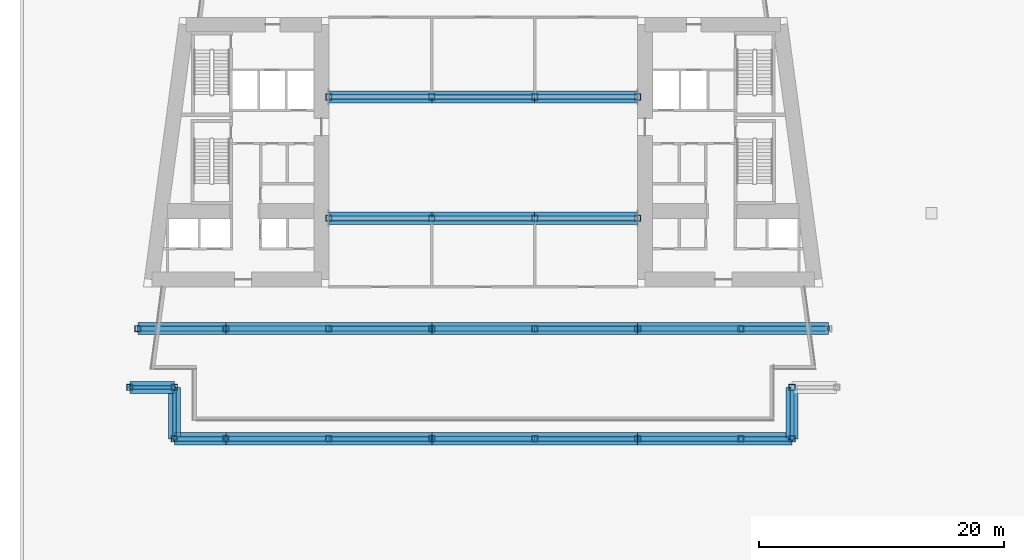
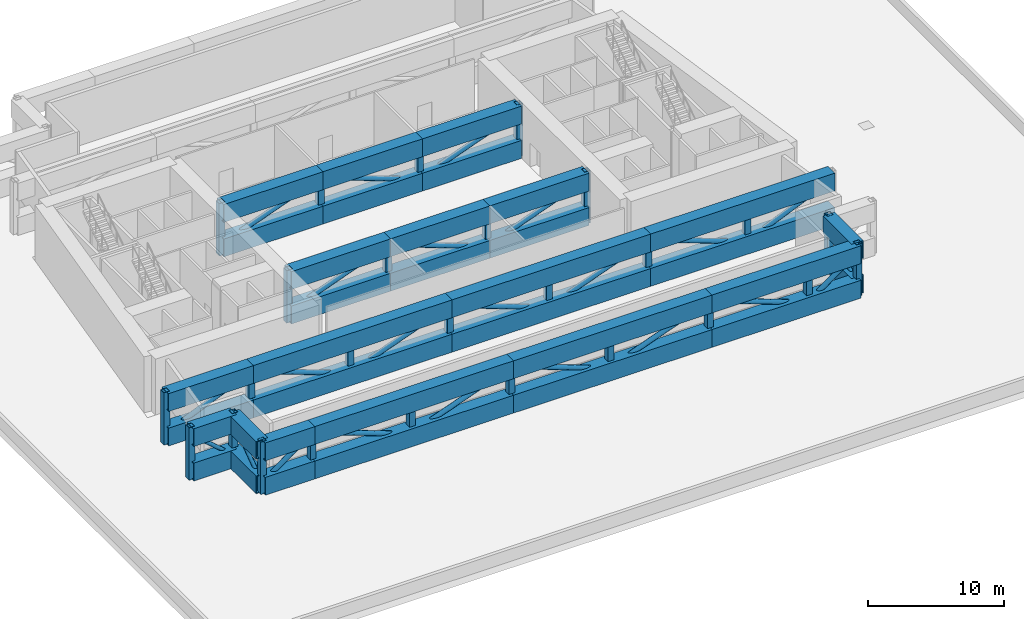
# One storey, part 2 of 26: 83 members.
"""IFC4 building model written with IfcOpenShell, lengths in metres."""

import ifcopenshell
import ifcopenshell.guid

model = None  # the IFC model being written
_history = None  # IfcOwnerHistory: only IFC2X3 demands one
_inside = {}  # id of a spatial element -> (the spatial element, [elements in it])
_under = {}  # id of a project, library or spatial element -> (it, [spatial elements below it])
_declared = {}  # id of a project -> (the project, [libraries it declares])
_typed = {}  # id of a type object -> (the type object, [elements of that type])
_made_of = {}  # id of a material, layer set ... -> (it, [elements and type objects made of it])


def new_model(schema):
    """Start an empty IFC model of exactly this schema.

    Asked for "IFC4X3", IfcOpenShell would pick the latest addendum, in which some entities
    have other attributes; the version numbers below select the first issue.
    IFC2X3 requires an IfcOwnerHistory on every rooted entity: one is made here for all.
    """
    global model, _history
    if schema == "IFC4X3":
        model = ifcopenshell.file(schema_version=(4, 3, 0, 0))
    else:
        model = ifcopenshell.file(schema=schema)
    _inside.clear()
    _under.clear()
    _declared.clear()
    _typed.clear()
    _made_of.clear()
    _history = None
    if model.schema == "IFC2X3":
        org = make("IfcOrganization", Name="unknown")
        user = make(
            "IfcPersonAndOrganization",
            ThePerson=make("IfcPerson", FamilyName="unknown"),
            TheOrganization=org,
        )
        app = make(
            "IfcApplication",
            ApplicationDeveloper=org,
            Version="unknown",
            ApplicationFullName="unknown",
            ApplicationIdentifier="unknown",
        )
        _history = make(
            "IfcOwnerHistory",
            OwningUser=user,
            OwningApplication=app,
            ChangeAction="ADDED",
            CreationDate=0,
        )
    return model


def make(cls, **values):
    """One entity of the class cls with the attributes given. An attribute that is None is left unset."""
    return model.create_entity(
        cls, **{name: value for name, value in values.items() if value is not None}
    )


def rooted(cls, **values):
    """An entity with a GlobalId (a new one), such as an element, a storey or a relation."""
    return make(cls, GlobalId=ifcopenshell.guid.new(), OwnerHistory=_history, **values)


def si_unit(unit_type, name, prefix=None):
    """IfcSIUnit, for example si_unit("LENGTHUNIT", "METRE", prefix="MILLI")."""
    return make("IfcSIUnit", UnitType=unit_type, Prefix=prefix, Name=name)


def assignment(units):
    """IfcUnitAssignment: the units of a project."""
    return None if units is None else make("IfcUnitAssignment", Units=units)


def point(xyz):
    """IfcCartesianPoint."""
    return None if xyz is None else make("IfcCartesianPoint", Coordinates=xyz)


def direction(xyz):
    """IfcDirection."""
    return None if xyz is None else make("IfcDirection", DirectionRatios=xyz)


def frame(location, z_axis=None, x_axis=None):
    """IfcAxis2Placement3D, a coordinate frame: its origin and axes. An axis left out is left unset."""
    return make(
        "IfcAxis2Placement3D",
        Location=point(location),
        Axis=direction(z_axis),
        RefDirection=direction(x_axis),
    )


def frame_2d(location, x_axis=None):
    """IfcAxis2Placement2D, a coordinate frame in the plane: its origin and x axis."""
    return make(
        "IfcAxis2Placement2D", Location=point(location), RefDirection=direction(x_axis)
    )


def origin():
    """The frame at (0, 0, 0) with its axes left unset."""
    return frame((0.0, 0.0, 0.0))


def origin_2d():
    """The frame at (0, 0) in the plane with its x axis left unset."""
    return frame_2d((0.0, 0.0))


def place(relative_to, where):
    """IfcLocalPlacement: puts the frame where relative to a parent placement (None: the world)."""
    return make(
        "IfcLocalPlacement", PlacementRelTo=relative_to, RelativePlacement=where
    )


def context(
    kind, dimensions, precision=None, world=None, true_north=None, identifier=None
):
    """IfcGeometricRepresentationContext, for example the 3D "Model" context."""
    return make(
        "IfcGeometricRepresentationContext",
        ContextIdentifier=identifier,
        ContextType=kind,
        CoordinateSpaceDimension=dimensions,
        Precision=precision,
        WorldCoordinateSystem=world,
        TrueNorth=true_north,
    )


def subcontext(parent, identifier, kind, view, scale=None):
    """IfcGeometricRepresentationSubContext, for example "Body" below "Model"."""
    return make(
        "IfcGeometricRepresentationSubContext",
        ContextIdentifier=identifier,
        ContextType=kind,
        ParentContext=parent,
        TargetScale=scale,
        TargetView=view,
    )


def project(units=None, contexts=None):
    """IfcProject with its units and contexts."""
    return rooted(
        "IfcProject",
        Name="project",
        RepresentationContexts=contexts,
        UnitsInContext=assignment(units),
    )


def spatial(cls, under=None, at=None, **own):
    """A site, building, storey or space (cls), placed at a placement, below another one or the project."""
    s = rooted(cls, ObjectPlacement=at, **own)
    if under is not None:
        _under.setdefault(under.id(), (under, []))[1].append(s)
    return s


def profile(cls, at=None, kind="AREA", **sizes):
    """A parametric profile (cls). Its sizes go by their IFC names, for example OverallWidth=200.0."""
    return make(cls, ProfileType=kind, Position=at, **sizes)


def hollow_rectangle(**sizes):
    """IfcRectangleHollowProfileDef."""
    return profile("IfcRectangleHollowProfileDef", **sizes)


def hollow_circle(**sizes):
    """IfcCircleHollowProfileDef."""
    return profile("IfcCircleHollowProfileDef", **sizes)


def extrude(swept, where, along, depth):
    """IfcExtrudedAreaSolid: the profile swept, set in the frame where, extruded along a direction by depth."""
    return make(
        "IfcExtrudedAreaSolid",
        SweptArea=swept,
        Position=where,
        ExtrudedDirection=direction(along),
        Depth=depth,
    )


def shape(context_of_items, identifier, shape_type, items):
    """IfcShapeRepresentation: the items that make up one representation, for example the "Body"."""
    return make(
        "IfcShapeRepresentation",
        ContextOfItems=context_of_items,
        RepresentationIdentifier=identifier,
        RepresentationType=shape_type,
        Items=items,
    )


def material(Name=None, Category=None):
    """IfcMaterial."""
    return make("IfcMaterial", Name=Name, Category=Category)


def material_profile(
    of_material, cross_section, Name=None, Category=None, Priority=None
):
    """IfcMaterialProfile: a cross section and its material."""
    return make(
        "IfcMaterialProfile",
        Name=Name,
        Material=of_material,
        Profile=cross_section,
        Priority=Priority,
        Category=Category,
    )


def profile_set(profiles, Name=None, composite=None):
    """IfcMaterialProfileSet."""
    return make(
        "IfcMaterialProfileSet",
        Name=Name,
        MaterialProfiles=profiles,
        CompositeProfile=composite,
    )


def made_of(thing, what):
    """Note that an element or type object is made of a material, layer set ...; save() writes the relation."""
    if what is not None:
        _made_of.setdefault(what.id(), (what, []))[1].append(thing)
    return thing


def type_object(cls, material=None, **own):
    """A type object (cls), such as IfcWallType, which elements share."""
    return made_of(rooted(cls, **own), material)


def element(
    cls,
    number,
    at=None,
    inside=None,
    cuts=None,
    type_object=None,
    material=None,
    context=None,
    identifier="Body",
    shape_type=None,
    held_by="IfcProductDefinitionShape",
    body=None,
    shapes=None,
    **own,
):
    """One element of the class cls, such as IfcWall. Its Tag is "e" and its number.

    at: its placement. inside: the storey or other place that contains it. cuts: it is an
    opening in that element (IfcRelVoidsElement). A single representation is given by context,
    identifier, shape_type and body (its items); several are given by shapes. held_by: the class
    of the entity that holds the representations. save() writes the other relations.
    """
    e = rooted(cls, Tag="e%d" % number, ObjectPlacement=at, **own)
    if body is not None:
        shapes = [shape(context, identifier, shape_type, body)]
    if shapes is not None:
        e.Representation = make(held_by, Representations=shapes)
    if inside is not None:
        _inside.setdefault(inside.id(), (inside, []))[1].append(e)
    if cuts is not None:
        rooted(
            "IfcRelVoidsElement", RelatingBuildingElement=cuts, RelatedOpeningElement=e
        )
    if type_object is not None:
        _typed.setdefault(type_object.id(), (type_object, []))[1].append(e)
    return made_of(e, material)


def aggregate(whole, parts):
    """IfcRelAggregates: a whole, such as a stair, and the parts it consists of."""
    return rooted("IfcRelAggregates", RelatingObject=whole, RelatedObjects=parts)


def save(model, path):
    """Write the relations noted so far, then the file.

    IfcRelAggregates (storeys below a building ...), IfcRelContainedInSpatialStructure (elements
    in a storey), IfcRelDefinesByType, IfcRelAssociatesMaterial and IfcRelDeclares: one each for
    every whole, place, type object, material and project.
    """
    for whole, parts in _under.values():
        aggregate(whole, parts)
    for where, things in _inside.values():
        rooted(
            "IfcRelContainedInSpatialStructure",
            RelatedElements=things,
            RelatingStructure=where,
        )
    for kind, things in _typed.values():
        rooted("IfcRelDefinesByType", RelatedObjects=things, RelatingType=kind)
    for what, things in _made_of.values():
        rooted("IfcRelAssociatesMaterial", RelatedObjects=things, RelatingMaterial=what)
    for by, libraries in _declared.values():
        rooted("IfcRelDeclares", RelatingContext=by, RelatedDefinitions=libraries)
    model.write(path)


model = new_model("IFC4")

# Units and contexts
model_context = context("Model", 3, precision=1e-05, world=origin(), true_north=direction((0.0, 1.0)))
body_context = subcontext(model_context, "Body", "Model", "MODEL_VIEW")
ifc_project = project(units=[si_unit("LENGTHUNIT", "METRE"), si_unit("AREAUNIT", "SQUARE_METRE"), si_unit("VOLUMEUNIT", "CUBIC_METRE"), si_unit("PLANEANGLEUNIT", "RADIAN"), si_unit("MASSUNIT", "GRAM", prefix="KILO")], contexts=[model_context])

# Site, building, storey
site_placement = place(None, origin())
site = spatial("IfcSite", under=ifc_project, at=site_placement, CompositionType="ELEMENT")
building_placement = place(site_placement, origin())
building = spatial("IfcBuilding", under=site, at=building_placement, Name="Candeia Pilgrim Tower and Theatre", CompositionType="ELEMENT")
storey_placement = place(building_placement, frame((0.0, 0.0, 34.0)))
storey = spatial("IfcBuildingStorey", under=building, at=storey_placement, Name="L05", CompositionType="ELEMENT", Elevation=34.0)

# Members
ifc_material = material(Name="Structural steel ASTM A572 Grade 50", Category="steel")
ifc_material_profile_1 = material_profile(ifc_material, hollow_rectangle(XDim=1.0, YDim=1.60009765625, WallThickness=0.06005859375, at=origin_2d()))
ifc_profile_set_1 = profile_set([ifc_material_profile_1], Name="Structural steel ASTM A572 Grade 50")
member_type_1 = type_object("IfcMemberType", Name="BOX 1600x1000x60 chord", PredefinedType="CHORD", material=ifc_profile_set_1)
for number, where, z_axis, x_axis, name in (
    (1, (88.199951171875, 98.0, 0.800048828125), (1.0, 0.0, 0.0), (0.0, 1.0, 0.0), "Transfer truss bottom chord TTA"),
    (2, (88.199951171875, 98.0, 3.8798828125), (1.0, 0.0, 0.0), (0.0, 1.0, 0.0), "Transfer truss top chord TTA"),
):
    element("IfcMember", number, at=place(storey_placement, frame(where, z_axis=z_axis, x_axis=x_axis)), inside=storey, type_object=member_type_1, Name=name, PredefinedType="CHORD", context=body_context, shape_type="SweptSolid", body=[
        extrude(hollow_rectangle(XDim=1.0, YDim=1.60009765625, WallThickness=0.06005859375, at=origin_2d()), origin(), (0.0, 0.0, 1.0), 4.199951171875),
    ])
for number, where, z_axis, x_axis, name in (
    (3, (92.39990234375, 98.0, 0.800048828125), (1.0, 0.0, 0.0), (0.0, 1.0, 0.0), "Transfer truss bottom chord TTA"),
    (4, (92.39990234375, 98.0, 3.8798828125), (1.0, 0.0, 0.0), (0.0, 1.0, 0.0), "Transfer truss top chord TTA"),
    (5, (109.199951171875, 98.0, 0.800048828125), (1.0, 0.0, 0.0), (0.0, 1.0, 0.0), "Transfer truss bottom chord TTA"),
    (6, (109.199951171875, 98.0, 3.8798828125), (1.0, 0.0, 0.0), (0.0, 1.0, 0.0), "Transfer truss top chord TTA"),
):
    element("IfcMember", number, at=place(storey_placement, frame(where, z_axis=z_axis, x_axis=x_axis)), inside=storey, type_object=member_type_1, Name=name, PredefinedType="CHORD", context=body_context, shape_type="SweptSolid", body=[
        extrude(hollow_rectangle(XDim=1.0, YDim=1.60009765625, WallThickness=0.06005859375, at=origin_2d()), origin(), (0.0, 0.0, 1.0), 16.800048828125),
    ])
for number, where, z_axis, x_axis, name in (
    (7, (126.0, 98.0, 0.800048828125), (1.0, 0.0, 0.0), (0.0, 1.0, 0.0), "Transfer truss bottom chord TTA"),
    (8, (126.0, 98.0, 3.8798828125), (1.0, 0.0, 0.0), (0.0, 1.0, 0.0), "Transfer truss top chord TTA"),
):
    element("IfcMember", number, at=place(storey_placement, frame(where, z_axis=z_axis, x_axis=x_axis)), inside=storey, type_object=member_type_1, Name=name, PredefinedType="CHORD", context=body_context, shape_type="SweptSolid", body=[
        extrude(hollow_rectangle(XDim=1.0, YDim=1.60009765625, WallThickness=0.06005859375, at=origin_2d()), origin(), (0.0, 0.0, 1.0), 12.60009765625),
    ])
for number, where, z_axis, x_axis, name in (
    (9, (85.21142578125, 107.0, 0.800048828125), (1.0, 0.0, 0.0), (0.0, 1.0, 0.0), "Transfer truss bottom chord TTB"),
    (10, (85.21142578125, 107.0, 3.8798828125), (1.0, 0.0, 0.0), (0.0, 1.0, 0.0), "Transfer truss top chord TTB"),
):
    element("IfcMember", number, at=place(storey_placement, frame(where, z_axis=z_axis, x_axis=x_axis)), inside=storey, type_object=member_type_1, Name=name, PredefinedType="CHORD", context=body_context, shape_type="SweptSolid", body=[
        extrude(hollow_rectangle(XDim=1.0, YDim=1.60009765625, WallThickness=0.06005859375, at=origin_2d()), origin(), (0.0, 0.0, 1.0), 7.1884765625),
    ])
for number, where, z_axis, x_axis, name in (
    (11, (92.39990234375, 107.0, 0.800048828125), (1.0, 0.0, 0.0), (0.0, 1.0, 0.0), "Transfer truss bottom chord TTB"),
    (12, (92.39990234375, 107.0, 3.8798828125), (1.0, 0.0, 0.0), (0.0, 1.0, 0.0), "Transfer truss top chord TTB"),
    (13, (109.199951171875, 107.0, 0.800048828125), (1.0, 0.0, 0.0), (0.0, 1.0, 0.0), "Transfer truss bottom chord TTB"),
    (14, (109.199951171875, 107.0, 3.8798828125), (1.0, 0.0, 0.0), (0.0, 1.0, 0.0), "Transfer truss top chord TTB"),
):
    element("IfcMember", number, at=place(storey_placement, frame(where, z_axis=z_axis, x_axis=x_axis)), inside=storey, type_object=member_type_1, Name=name, PredefinedType="CHORD", context=body_context, shape_type="SweptSolid", body=[
        extrude(hollow_rectangle(XDim=1.0, YDim=1.60009765625, WallThickness=0.06005859375, at=origin_2d()), origin(), (0.0, 0.0, 1.0), 16.800048828125),
    ])
for number, where, z_axis, x_axis, name in (
    (15, (126.0, 107.0, 0.800048828125), (1.0, 0.0, 0.0), (0.0, 1.0, 0.0), "Transfer truss bottom chord TTB"),
    (16, (126.0, 107.0, 3.8798828125), (1.0, 0.0, 0.0), (0.0, 1.0, 0.0), "Transfer truss top chord TTB"),
):
    element("IfcMember", number, at=place(storey_placement, frame(where, z_axis=z_axis, x_axis=x_axis)), inside=storey, type_object=member_type_1, Name=name, PredefinedType="CHORD", context=body_context, shape_type="SweptSolid", body=[
        extrude(hollow_rectangle(XDim=1.0, YDim=1.60009765625, WallThickness=0.06005859375, at=origin_2d()), origin(), (0.0, 0.0, 1.0), 15.58837890625),
    ])
for number, where, z_axis, x_axis, name in (
    (17, (100.800048828125, 116.0, 0.800048828125), (1.0, 0.0, 0.0), (0.0, 1.0, 0.0), "Transfer truss bottom chord TTC"),
    (18, (100.800048828125, 116.0, 3.8798828125), (1.0, 0.0, 0.0), (0.0, 1.0, 0.0), "Transfer truss top chord TTC"),
):
    element("IfcMember", number, at=place(storey_placement, frame(where, z_axis=z_axis, x_axis=x_axis)), inside=storey, type_object=member_type_1, Name=name, PredefinedType="CHORD", context=body_context, shape_type="SweptSolid", body=[
        extrude(hollow_rectangle(XDim=1.0, YDim=1.60009765625, WallThickness=0.06005859375, at=origin_2d()), origin(), (0.0, 0.0, 1.0), 8.39990234375),
    ])
for number, where, z_axis, x_axis, name in (
    (19, (109.199951171875, 116.0, 0.800048828125), (1.0, 0.0, 0.0), (0.0, 1.0, 0.0), "Transfer truss bottom chord TTC"),
    (20, (109.199951171875, 116.0, 3.8798828125), (1.0, 0.0, 0.0), (0.0, 1.0, 0.0), "Transfer truss top chord TTC"),
):
    element("IfcMember", number, at=place(storey_placement, frame(where, z_axis=z_axis, x_axis=x_axis)), inside=storey, type_object=member_type_1, Name=name, PredefinedType="CHORD", context=body_context, shape_type="SweptSolid", body=[
        extrude(hollow_rectangle(XDim=1.0, YDim=1.60009765625, WallThickness=0.06005859375, at=origin_2d()), origin(), (0.0, 0.0, 1.0), 8.400146484375),
    ])
for number, where, z_axis, x_axis, name in (
    (21, (117.60009765625, 116.0, 0.800048828125), (1.0, 0.0, 0.0), (0.0, 1.0, 0.0), "Transfer truss bottom chord TTC"),
    (22, (117.60009765625, 116.0, 3.8798828125), (1.0, 0.0, 0.0), (0.0, 1.0, 0.0), "Transfer truss top chord TTC"),
    (23, (100.800048828125, 125.89990234375, 0.800048828125), (1.0, 0.0, 0.0), (0.0, 1.0, 0.0), "Transfer truss bottom chord TTD"),
    (24, (100.800048828125, 125.89990234375, 3.8798828125), (1.0, 0.0, 0.0), (0.0, 1.0, 0.0), "Transfer truss top chord TTD"),
):
    element("IfcMember", number, at=place(storey_placement, frame(where, z_axis=z_axis, x_axis=x_axis)), inside=storey, type_object=member_type_1, Name=name, PredefinedType="CHORD", context=body_context, shape_type="SweptSolid", body=[
        extrude(hollow_rectangle(XDim=1.0, YDim=1.60009765625, WallThickness=0.06005859375, at=origin_2d()), origin(), (0.0, 0.0, 1.0), 8.39990234375),
    ])
for number, where, z_axis, x_axis, name in (
    (25, (109.199951171875, 125.89990234375, 0.800048828125), (1.0, 0.0, 0.0), (0.0, 1.0, 0.0), "Transfer truss bottom chord TTD"),
    (26, (109.199951171875, 125.89990234375, 3.8798828125), (1.0, 0.0, 0.0), (0.0, 1.0, 0.0), "Transfer truss top chord TTD"),
):
    element("IfcMember", number, at=place(storey_placement, frame(where, z_axis=z_axis, x_axis=x_axis)), inside=storey, type_object=member_type_1, Name=name, PredefinedType="CHORD", context=body_context, shape_type="SweptSolid", body=[
        extrude(hollow_rectangle(XDim=1.0, YDim=1.60009765625, WallThickness=0.06005859375, at=origin_2d()), origin(), (0.0, 0.0, 1.0), 8.400146484375),
    ])
for number, where, z_axis, x_axis, name in (
    (27, (117.60009765625, 125.89990234375, 0.800048828125), (1.0, 0.0, 0.0), (0.0, 1.0, 0.0), "Transfer truss bottom chord TTD"),
    (28, (117.60009765625, 125.89990234375, 3.8798828125), (1.0, 0.0, 0.0), (0.0, 1.0, 0.0), "Transfer truss top chord TTD"),
):
    element("IfcMember", number, at=place(storey_placement, frame(where, z_axis=z_axis, x_axis=x_axis)), inside=storey, type_object=member_type_1, Name=name, PredefinedType="CHORD", context=body_context, shape_type="SweptSolid", body=[
        extrude(hollow_rectangle(XDim=1.0, YDim=1.60009765625, WallThickness=0.06005859375, at=origin_2d()), origin(), (0.0, 0.0, 1.0), 8.39990234375),
    ])
for number, where, z_axis, x_axis, name in (
    (29, (88.199951171875, 98.0, 0.800048828125), (0.0, 1.0, 0.0), (-1.0, 0.0, 0.0), "Transfer truss stub bottom chord TTNSW"),
    (30, (88.199951171875, 98.0, 3.8798828125), (0.0, 1.0, 0.0), (-1.0, 0.0, 0.0), "Transfer truss stub top chord TTNSW"),
    (31, (138.60009765625, 98.0, 0.800048828125), (0.0, 1.0, 0.0), (-1.0, 0.0, 0.0), "Transfer truss stub bottom chord TTNSE"),
    (32, (138.60009765625, 98.0, 3.8798828125), (0.0, 1.0, 0.0), (-1.0, 0.0, 0.0), "Transfer truss stub top chord TTNSE"),
):
    element("IfcMember", number, at=place(storey_placement, frame(where, z_axis=z_axis, x_axis=x_axis)), inside=storey, type_object=member_type_1, Name=name, PredefinedType="CHORD", context=body_context, shape_type="SweptSolid", body=[
        extrude(hollow_rectangle(XDim=1.0, YDim=1.60009765625, WallThickness=0.06005859375, at=origin_2d()), origin(), (0.0, 0.0, 1.0), 4.199951171875),
    ])
for number, where, z_axis, x_axis, name in (
    (33, (88.199951171875, 102.199951171875, 0.800048828125), (-1.0, 0.0, 0.0), (0.0, -1.0, 0.0), "Transfer truss stub bottom chord TTLSW"),
    (34, (88.199951171875, 102.199951171875, 3.8798828125), (-1.0, 0.0, 0.0), (0.0, -1.0, 0.0), "Transfer truss stub top chord TTLSW"),
):
    element("IfcMember", number, at=place(storey_placement, frame(where, z_axis=z_axis, x_axis=x_axis)), inside=storey, type_object=member_type_1, Name=name, PredefinedType="CHORD", context=body_context, shape_type="SweptSolid", body=[
        extrude(hollow_rectangle(XDim=1.0, YDim=1.60009765625, WallThickness=0.06005859375, at=origin_2d()), origin(), (0.0, 0.0, 1.0), 3.634521484375),
    ])
ifc_material_profile_2 = material_profile(ifc_material, hollow_rectangle(XDim=0.5, YDim=0.5, WallThickness=0.031982421875, at=origin_2d()))
ifc_profile_set_2 = profile_set([ifc_material_profile_2], Name="Structural steel ASTM A572 Grade 50")
member_type_2 = type_object("IfcMemberType", Name="BOX 500x500x32 post", PredefinedType="POST", material=ifc_profile_set_2)
member_1_placement = place(storey_placement, frame((88.199951171875, 98.0, 0.0), z_axis=(0.0, 0.0, 1.0), x_axis=(1.0, 0.0, 0.0)))
element("IfcMember", 35, at=member_1_placement, inside=storey, type_object=member_type_2, Name="Transfer truss post TTA", PredefinedType="POST", context=body_context, shape_type="SweptSolid", body=[
    extrude(hollow_rectangle(XDim=0.5, YDim=0.5, WallThickness=0.031982421875, at=origin_2d()), origin(), (0.0, 0.0, 1.0), 4.679931640625),
])
for number, where, z_axis, x_axis, name in (
    (36, (92.39990234375, 98.0, 1.47998046875), (0.0, 0.0, 1.0), (1.0, 0.0, 0.0), "Transfer truss post TTA"),
    (37, (100.800048828125, 98.0, 1.47998046875), (0.0, 0.0, 1.0), (1.0, 0.0, 0.0), "Transfer truss post TTA"),
    (38, (109.199951171875, 98.0, 1.47998046875), (0.0, 0.0, 1.0), (1.0, 0.0, 0.0), "Transfer truss post TTA"),
    (39, (117.60009765625, 98.0, 1.47998046875), (0.0, 0.0, 1.0), (1.0, 0.0, 0.0), "Transfer truss post TTA"),
    (40, (126.0, 98.0, 1.47998046875), (0.0, 0.0, 1.0), (1.0, 0.0, 0.0), "Transfer truss post TTA"),
    (41, (134.39990234375, 98.0, 1.47998046875), (0.0, 0.0, 1.0), (1.0, 0.0, 0.0), "Transfer truss post TTA"),
):
    element("IfcMember", number, at=place(storey_placement, frame(where, z_axis=z_axis, x_axis=x_axis)), inside=storey, type_object=member_type_2, Name=name, PredefinedType="POST", context=body_context, shape_type="SweptSolid", body=[
        extrude(hollow_rectangle(XDim=0.5, YDim=0.5, WallThickness=0.031982421875, at=origin_2d()), origin(), (0.0, 0.0, 1.0), 1.719970703125),
    ])
for number, where, z_axis, x_axis, name in (
    (42, (138.60009765625, 98.0, 0.0), (0.0, 0.0, 1.0), (1.0, 0.0, 0.0), "Transfer truss post TTA"),
    (43, (85.21142578125, 107.0, 0.0), (0.0, 0.0, 1.0), (1.0, 0.0, 0.0), "Transfer truss post TTB"),
):
    element("IfcMember", number, at=place(storey_placement, frame(where, z_axis=z_axis, x_axis=x_axis)), inside=storey, type_object=member_type_2, Name=name, PredefinedType="POST", context=body_context, shape_type="SweptSolid", body=[
        extrude(hollow_rectangle(XDim=0.5, YDim=0.5, WallThickness=0.031982421875, at=origin_2d()), origin(), (0.0, 0.0, 1.0), 4.679931640625),
    ])
for number, where, z_axis, x_axis, name in (
    (44, (92.39990234375, 107.0, 1.47998046875), (0.0, 0.0, 1.0), (1.0, 0.0, 0.0), "Transfer truss post TTB"),
    (45, (100.800048828125, 107.0, 1.47998046875), (0.0, 0.0, 1.0), (1.0, 0.0, 0.0), "Transfer truss post TTB"),
    (46, (109.199951171875, 107.0, 1.47998046875), (0.0, 0.0, 1.0), (1.0, 0.0, 0.0), "Transfer truss post TTB"),
    (47, (117.60009765625, 107.0, 1.47998046875), (0.0, 0.0, 1.0), (1.0, 0.0, 0.0), "Transfer truss post TTB"),
    (48, (126.0, 107.0, 1.47998046875), (0.0, 0.0, 1.0), (1.0, 0.0, 0.0), "Transfer truss post TTB"),
    (49, (134.39990234375, 107.0, 1.47998046875), (0.0, 0.0, 1.0), (1.0, 0.0, 0.0), "Transfer truss post TTB"),
):
    element("IfcMember", number, at=place(storey_placement, frame(where, z_axis=z_axis, x_axis=x_axis)), inside=storey, type_object=member_type_2, Name=name, PredefinedType="POST", context=body_context, shape_type="SweptSolid", body=[
        extrude(hollow_rectangle(XDim=0.5, YDim=0.5, WallThickness=0.031982421875, at=origin_2d()), origin(), (0.0, 0.0, 1.0), 1.719970703125),
    ])
member_2_placement = place(storey_placement, frame((100.800048828125, 116.0, 0.0), z_axis=(0.0, 0.0, 1.0), x_axis=(1.0, 0.0, 0.0)))
element("IfcMember", 50, at=member_2_placement, inside=storey, type_object=member_type_2, Name="Transfer truss post TTC", PredefinedType="POST", context=body_context, shape_type="SweptSolid", body=[
    extrude(hollow_rectangle(XDim=0.5, YDim=0.5, WallThickness=0.031982421875, at=origin_2d()), origin(), (0.0, 0.0, 1.0), 4.679931640625),
])
for number, where, z_axis, x_axis, name in (
    (51, (109.199951171875, 116.0, 1.47998046875), (0.0, 0.0, 1.0), (1.0, 0.0, 0.0), "Transfer truss post TTC"),
    (52, (117.60009765625, 116.0, 1.47998046875), (0.0, 0.0, 1.0), (1.0, 0.0, 0.0), "Transfer truss post TTC"),
):
    element("IfcMember", number, at=place(storey_placement, frame(where, z_axis=z_axis, x_axis=x_axis)), inside=storey, type_object=member_type_2, Name=name, PredefinedType="POST", context=body_context, shape_type="SweptSolid", body=[
        extrude(hollow_rectangle(XDim=0.5, YDim=0.5, WallThickness=0.031982421875, at=origin_2d()), origin(), (0.0, 0.0, 1.0), 1.719970703125),
    ])
for number, where, z_axis, x_axis, name in (
    (53, (126.0, 116.0, 0.0), (0.0, 0.0, 1.0), (1.0, 0.0, 0.0), "Transfer truss post TTC"),
    (54, (100.800048828125, 125.89990234375, 0.0), (0.0, 0.0, 1.0), (1.0, 0.0, 0.0), "Transfer truss post TTD"),
):
    element("IfcMember", number, at=place(storey_placement, frame(where, z_axis=z_axis, x_axis=x_axis)), inside=storey, type_object=member_type_2, Name=name, PredefinedType="POST", context=body_context, shape_type="SweptSolid", body=[
        extrude(hollow_rectangle(XDim=0.5, YDim=0.5, WallThickness=0.031982421875, at=origin_2d()), origin(), (0.0, 0.0, 1.0), 4.679931640625),
    ])
for number, where, z_axis, x_axis, name in (
    (55, (109.199951171875, 125.89990234375, 1.47998046875), (0.0, 0.0, 1.0), (1.0, 0.0, 0.0), "Transfer truss post TTD"),
    (56, (117.60009765625, 125.89990234375, 1.47998046875), (0.0, 0.0, 1.0), (1.0, 0.0, 0.0), "Transfer truss post TTD"),
):
    element("IfcMember", number, at=place(storey_placement, frame(where, z_axis=z_axis, x_axis=x_axis)), inside=storey, type_object=member_type_2, Name=name, PredefinedType="POST", context=body_context, shape_type="SweptSolid", body=[
        extrude(hollow_rectangle(XDim=0.5, YDim=0.5, WallThickness=0.031982421875, at=origin_2d()), origin(), (0.0, 0.0, 1.0), 1.719970703125),
    ])
for number, where, z_axis, x_axis, name in (
    (57, (126.0, 125.89990234375, 0.0), (0.0, 0.0, 1.0), (1.0, 0.0, 0.0), "Transfer truss post TTD"),
    (58, (88.199951171875, 102.199951171875, 0.0), (0.0, 0.0, 1.0), (1.0, 0.0, 0.0), "Transfer truss stub post TTNSW"),
    (59, (138.60009765625, 102.199951171875, 0.0), (0.0, 0.0, 1.0), (1.0, 0.0, 0.0), "Transfer truss stub post TTNSE"),
    (60, (84.5654296875, 102.199951171875, 0.0), (0.0, 0.0, 1.0), (1.0, 0.0, 0.0), "Transfer truss stub post TTLSW"),
):
    element("IfcMember", number, at=place(storey_placement, frame(where, z_axis=z_axis, x_axis=x_axis)), inside=storey, type_object=member_type_2, Name=name, PredefinedType="POST", context=body_context, shape_type="SweptSolid", body=[
        extrude(hollow_rectangle(XDim=0.5, YDim=0.5, WallThickness=0.031982421875, at=origin_2d()), origin(), (0.0, 0.0, 1.0), 4.679931640625),
    ])
ifc_material_profile_3 = material_profile(ifc_material, hollow_circle(Radius=0.161865234375, WallThickness=0.012451171875, at=origin_2d()))
ifc_profile_set_3 = profile_set([ifc_material_profile_3], Name="Structural steel ASTM A572 Grade 50")
member_type_3 = type_object("IfcMemberType", Name="CHS 324x12.5 brace", PredefinedType="BRACE", material=ifc_profile_set_3)
for number, where, z_axis, x_axis, name in (
    (61, (88.199951171875, 98.0, 0.800048828125), (0.0, 0.806416918046, 0.591347405752), (-1.0, 0.0, 0.0), "Transfer truss stub diagonal TTNSW"),
    (62, (138.60009765625, 98.0, 0.800048828125), (0.0, 0.806416918046, 0.591347405752), (-1.0, 0.0, 0.0), "Transfer truss stub diagonal TTNSE"),
):
    element("IfcMember", number, at=place(storey_placement, frame(where, z_axis=z_axis, x_axis=x_axis)), inside=storey, type_object=member_type_3, Name=name, PredefinedType="BRACE", context=body_context, shape_type="SweptSolid", body=[
        extrude(hollow_circle(Radius=0.161865234375, WallThickness=0.012451171875, at=origin_2d()), origin(), (0.0, 0.0, 1.0), 5.208251953125),
    ])
member_3_placement = place(storey_placement, frame((88.199951171875, 102.199951171875, 0.800048828125), z_axis=(-0.762923447182, 0.0, 0.64648883497), x_axis=(0.0, -1.0, 0.0)))
element("IfcMember", 63, at=member_3_placement, inside=storey, type_object=member_type_3, Name="Transfer truss stub diagonal TTLSW", PredefinedType="BRACE", context=body_context, shape_type="SweptSolid", body=[
    extrude(hollow_circle(Radius=0.161865234375, WallThickness=0.012451171875, at=origin_2d()), origin(), (0.0, 0.0, 1.0), 4.763916015625),
])
ifc_material_profile_4 = material_profile(ifc_material, hollow_circle(Radius=0.203125, WallThickness=0.01611328125, at=origin_2d()))
ifc_profile_set_4 = profile_set([ifc_material_profile_4], Name="Structural steel ASTM A572 Grade 50")
member_type_4 = type_object("IfcMemberType", Name="CHS 406x16 brace", PredefinedType="BRACE", material=ifc_profile_set_4)
member_4_placement = place(storey_placement, frame((88.199951171875, 98.0, 0.800048828125), z_axis=(0.806416918046, 0.0, 0.591347405752), x_axis=(0.0, 1.0, 0.0)))
element("IfcMember", 64, at=member_4_placement, inside=storey, type_object=member_type_4, Name="Transfer truss diagonal TTA", PredefinedType="BRACE", context=body_context, shape_type="SweptSolid", body=[
    extrude(hollow_circle(Radius=0.203125, WallThickness=0.01611328125, at=origin_2d()), origin(), (0.0, 0.0, 1.0), 5.208251953125),
])
member_5_placement = place(storey_placement, frame((100.800048828125, 98.0, 0.800048828125), z_axis=(-0.93888425336, 0.0, 0.344233000731), x_axis=(0.0, -1.0, 0.0)))
element("IfcMember", 65, at=member_5_placement, inside=storey, type_object=member_type_4, Name="Transfer truss diagonal TTA", PredefinedType="BRACE", context=body_context, shape_type="SweptSolid", body=[
    extrude(hollow_circle(Radius=0.203125, WallThickness=0.01611328125, at=origin_2d()), origin(), (0.0, 0.0, 1.0), 8.947021484375),
])
member_6_placement = place(storey_placement, frame((100.800048828125, 98.0, 0.800048828125), z_axis=(0.938881019755, 0.0, 0.344241820154), x_axis=(0.0, 1.0, 0.0)))
element("IfcMember", 66, at=member_6_placement, inside=storey, type_object=member_type_4, Name="Transfer truss diagonal TTA", PredefinedType="BRACE", context=body_context, shape_type="SweptSolid", body=[
    extrude(hollow_circle(Radius=0.203125, WallThickness=0.01611328125, at=origin_2d()), origin(), (0.0, 0.0, 1.0), 8.94677734375),
])
member_7_placement = place(storey_placement, frame((117.60009765625, 98.0, 0.800048828125), z_axis=(-0.93888425336, 0.0, 0.344233000731), x_axis=(0.0, -1.0, 0.0)))
element("IfcMember", 67, at=member_7_placement, inside=storey, type_object=member_type_4, Name="Transfer truss diagonal TTA", PredefinedType="BRACE", context=body_context, shape_type="SweptSolid", body=[
    extrude(hollow_circle(Radius=0.203125, WallThickness=0.01611328125, at=origin_2d()), origin(), (0.0, 0.0, 1.0), 8.947021484375),
])
for number, where, z_axis, x_axis, name in (
    (68, (117.60009765625, 98.0, 0.800048828125), (0.938881019755, 0.0, 0.344241820154), (0.0, 1.0, 0.0), "Transfer truss diagonal TTA"),
    (69, (134.39990234375, 98.0, 0.800048828125), (-0.938881019755, 0.0, 0.344241820154), (0.0, -1.0, 0.0), "Transfer truss diagonal TTA"),
):
    element("IfcMember", number, at=place(storey_placement, frame(where, z_axis=z_axis, x_axis=x_axis)), inside=storey, type_object=member_type_4, Name=name, PredefinedType="BRACE", context=body_context, shape_type="SweptSolid", body=[
        extrude(hollow_circle(Radius=0.203125, WallThickness=0.01611328125, at=origin_2d()), origin(), (0.0, 0.0, 1.0), 8.94677734375),
    ])
member_8_placement = place(storey_placement, frame((134.39990234375, 98.0, 0.800048828125), z_axis=(0.806433309452, 0.0, 0.59132505224), x_axis=(0.0, 1.0, 0.0)))
element("IfcMember", 70, at=member_8_placement, inside=storey, type_object=member_type_4, Name="Transfer truss diagonal TTA", PredefinedType="BRACE", context=body_context, shape_type="SweptSolid", body=[
    extrude(hollow_circle(Radius=0.203125, WallThickness=0.01611328125, at=origin_2d()), origin(), (0.0, 0.0, 1.0), 5.208251953125),
])
member_9_placement = place(storey_placement, frame((85.21142578125, 107.0, 0.800048828125), z_axis=(0.919188622217, 0.0, 0.393817567901), x_axis=(0.0, 1.0, 0.0)))
element("IfcMember", 71, at=member_9_placement, inside=storey, type_object=member_type_4, Name="Transfer truss diagonal TTB", PredefinedType="BRACE", context=body_context, shape_type="SweptSolid", body=[
    extrude(hollow_circle(Radius=0.203125, WallThickness=0.01611328125, at=origin_2d()), origin(), (0.0, 0.0, 1.0), 7.820556640625),
])
member_10_placement = place(storey_placement, frame((100.800048828125, 107.0, 0.800048828125), z_axis=(-0.93888425336, 0.0, 0.344233000731), x_axis=(0.0, -1.0, 0.0)))
element("IfcMember", 72, at=member_10_placement, inside=storey, type_object=member_type_4, Name="Transfer truss diagonal TTB", PredefinedType="BRACE", context=body_context, shape_type="SweptSolid", body=[
    extrude(hollow_circle(Radius=0.203125, WallThickness=0.01611328125, at=origin_2d()), origin(), (0.0, 0.0, 1.0), 8.947021484375),
])
member_11_placement = place(storey_placement, frame((100.800048828125, 107.0, 0.800048828125), z_axis=(0.938881019755, 0.0, 0.344241820154), x_axis=(0.0, 1.0, 0.0)))
element("IfcMember", 73, at=member_11_placement, inside=storey, type_object=member_type_4, Name="Transfer truss diagonal TTB", PredefinedType="BRACE", context=body_context, shape_type="SweptSolid", body=[
    extrude(hollow_circle(Radius=0.203125, WallThickness=0.01611328125, at=origin_2d()), origin(), (0.0, 0.0, 1.0), 8.94677734375),
])
member_12_placement = place(storey_placement, frame((117.60009765625, 107.0, 0.800048828125), z_axis=(-0.93888425336, 0.0, 0.344233000731), x_axis=(0.0, -1.0, 0.0)))
element("IfcMember", 74, at=member_12_placement, inside=storey, type_object=member_type_4, Name="Transfer truss diagonal TTB", PredefinedType="BRACE", context=body_context, shape_type="SweptSolid", body=[
    extrude(hollow_circle(Radius=0.203125, WallThickness=0.01611328125, at=origin_2d()), origin(), (0.0, 0.0, 1.0), 8.947021484375),
])
for number, where, z_axis, x_axis, name in (
    (75, (117.60009765625, 107.0, 0.800048828125), (0.938881019755, 0.0, 0.344241820154), (0.0, 1.0, 0.0), "Transfer truss diagonal TTB"),
    (76, (134.39990234375, 107.0, 0.800048828125), (-0.938881019755, 0.0, 0.344241820154), (0.0, -1.0, 0.0), "Transfer truss diagonal TTB"),
):
    element("IfcMember", number, at=place(storey_placement, frame(where, z_axis=z_axis, x_axis=x_axis)), inside=storey, type_object=member_type_4, Name=name, PredefinedType="BRACE", context=body_context, shape_type="SweptSolid", body=[
        extrude(hollow_circle(Radius=0.203125, WallThickness=0.01611328125, at=origin_2d()), origin(), (0.0, 0.0, 1.0), 8.94677734375),
    ])
member_13_placement = place(storey_placement, frame((134.39990234375, 107.0, 0.800048828125), z_axis=(0.919188622217, 0.0, 0.393817567901), x_axis=(0.0, 1.0, 0.0)))
element("IfcMember", 77, at=member_13_placement, inside=storey, type_object=member_type_4, Name="Transfer truss diagonal TTB", PredefinedType="BRACE", context=body_context, shape_type="SweptSolid", body=[
    extrude(hollow_circle(Radius=0.203125, WallThickness=0.01611328125, at=origin_2d()), origin(), (0.0, 0.0, 1.0), 7.820556640625),
])
member_14_placement = place(storey_placement, frame((100.800048828125, 116.0, 0.800048828125), z_axis=(0.938881019755, 0.0, 0.344241820154), x_axis=(0.0, 1.0, 0.0)))
element("IfcMember", 78, at=member_14_placement, inside=storey, type_object=member_type_4, Name="Transfer truss diagonal TTC", PredefinedType="BRACE", context=body_context, shape_type="SweptSolid", body=[
    extrude(hollow_circle(Radius=0.203125, WallThickness=0.01611328125, at=origin_2d()), origin(), (0.0, 0.0, 1.0), 8.94677734375),
])
member_15_placement = place(storey_placement, frame((117.60009765625, 116.0, 0.800048828125), z_axis=(-0.93888425336, 0.0, 0.344233000731), x_axis=(0.0, -1.0, 0.0)))
element("IfcMember", 79, at=member_15_placement, inside=storey, type_object=member_type_4, Name="Transfer truss diagonal TTC", PredefinedType="BRACE", context=body_context, shape_type="SweptSolid", body=[
    extrude(hollow_circle(Radius=0.203125, WallThickness=0.01611328125, at=origin_2d()), origin(), (0.0, 0.0, 1.0), 8.947021484375),
])
for number, where, z_axis, x_axis, name in (
    (80, (117.60009765625, 116.0, 0.800048828125), (0.938881019755, 0.0, 0.344241820154), (0.0, 1.0, 0.0), "Transfer truss diagonal TTC"),
    (81, (100.800048828125, 125.89990234375, 0.800048828125), (0.938881019755, 0.0, 0.344241820154), (0.0, 1.0, 0.0), "Transfer truss diagonal TTD"),
):
    element("IfcMember", number, at=place(storey_placement, frame(where, z_axis=z_axis, x_axis=x_axis)), inside=storey, type_object=member_type_4, Name=name, PredefinedType="BRACE", context=body_context, shape_type="SweptSolid", body=[
        extrude(hollow_circle(Radius=0.203125, WallThickness=0.01611328125, at=origin_2d()), origin(), (0.0, 0.0, 1.0), 8.94677734375),
    ])
member_16_placement = place(storey_placement, frame((117.60009765625, 125.89990234375, 0.800048828125), z_axis=(-0.93888425336, 0.0, 0.344233000731), x_axis=(0.0, -1.0, 0.0)))
element("IfcMember", 82, at=member_16_placement, inside=storey, type_object=member_type_4, Name="Transfer truss diagonal TTD", PredefinedType="BRACE", context=body_context, shape_type="SweptSolid", body=[
    extrude(hollow_circle(Radius=0.203125, WallThickness=0.01611328125, at=origin_2d()), origin(), (0.0, 0.0, 1.0), 8.947021484375),
])
member_17_placement = place(storey_placement, frame((117.60009765625, 125.89990234375, 0.800048828125), z_axis=(0.938881019755, 0.0, 0.344241820154), x_axis=(0.0, 1.0, 0.0)))
element("IfcMember", 83, at=member_17_placement, inside=storey, type_object=member_type_4, Name="Transfer truss diagonal TTD", PredefinedType="BRACE", context=body_context, shape_type="SweptSolid", body=[
    extrude(hollow_circle(Radius=0.203125, WallThickness=0.01611328125, at=origin_2d()), origin(), (0.0, 0.0, 1.0), 8.94677734375),
])

save(model, "model.ifc")
